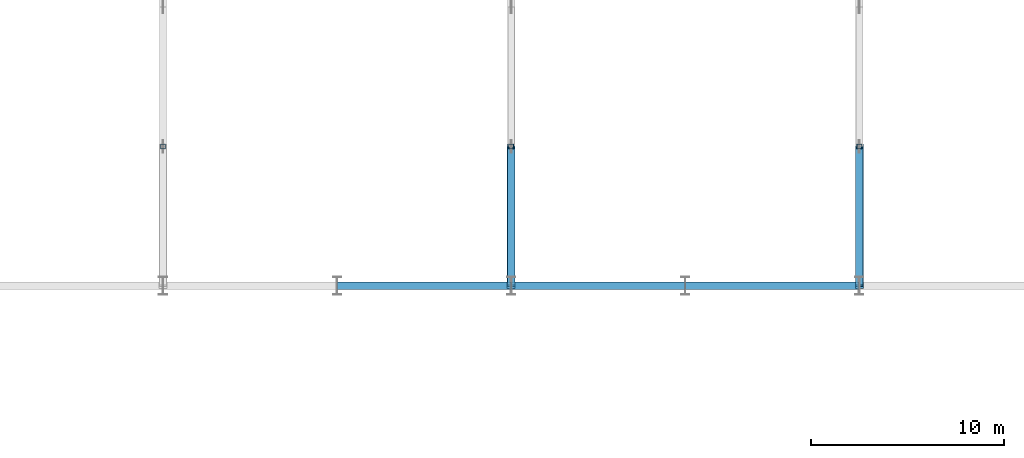
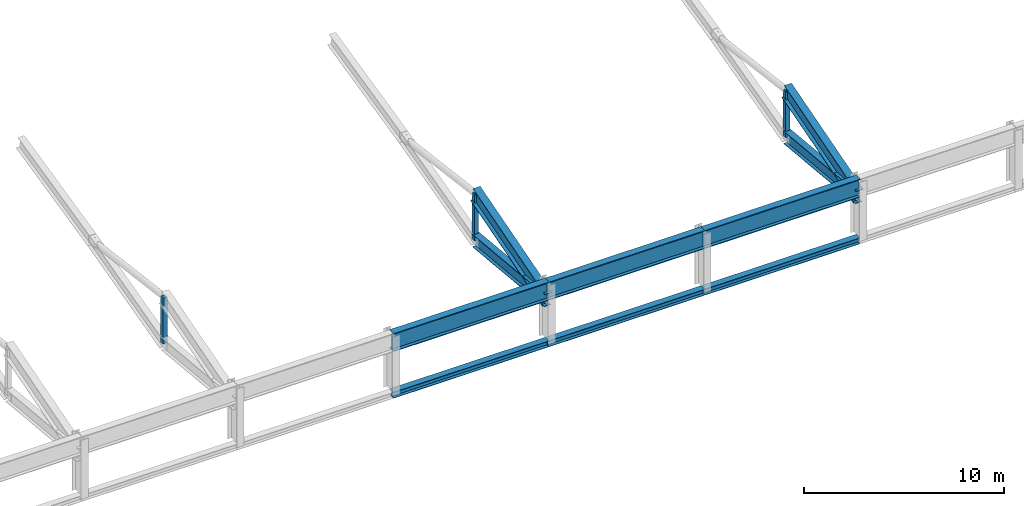
# One storey, part 17 of 151: 7 members, 6 beams.
"""IFC4 building model written with IfcOpenShell, lengths in metres."""

import ifcopenshell
import ifcopenshell.guid

model = None  # the IFC model being written
_history = None  # IfcOwnerHistory: only IFC2X3 demands one
_inside = {}  # id of a spatial element -> (the spatial element, [elements in it])
_under = {}  # id of a project, library or spatial element -> (it, [spatial elements below it])
_declared = {}  # id of a project -> (the project, [libraries it declares])
_typed = {}  # id of a type object -> (the type object, [elements of that type])
_made_of = {}  # id of a material, layer set ... -> (it, [elements and type objects made of it])


def new_model(schema):
    """Start an empty IFC model of exactly this schema.

    Asked for "IFC4X3", IfcOpenShell would pick the latest addendum, in which some entities
    have other attributes; the version numbers below select the first issue.
    IFC2X3 requires an IfcOwnerHistory on every rooted entity: one is made here for all.
    """
    global model, _history
    if schema == "IFC4X3":
        model = ifcopenshell.file(schema_version=(4, 3, 0, 0))
    else:
        model = ifcopenshell.file(schema=schema)
    _inside.clear()
    _under.clear()
    _declared.clear()
    _typed.clear()
    _made_of.clear()
    _history = None
    if model.schema == "IFC2X3":
        org = make("IfcOrganization", Name="unknown")
        user = make(
            "IfcPersonAndOrganization",
            ThePerson=make("IfcPerson", FamilyName="unknown"),
            TheOrganization=org,
        )
        app = make(
            "IfcApplication",
            ApplicationDeveloper=org,
            Version="unknown",
            ApplicationFullName="unknown",
            ApplicationIdentifier="unknown",
        )
        _history = make(
            "IfcOwnerHistory",
            OwningUser=user,
            OwningApplication=app,
            ChangeAction="ADDED",
            CreationDate=0,
        )
    return model


def make(cls, **values):
    """One entity of the class cls with the attributes given. An attribute that is None is left unset."""
    return model.create_entity(
        cls, **{name: value for name, value in values.items() if value is not None}
    )


def rooted(cls, **values):
    """An entity with a GlobalId (a new one), such as an element, a storey or a relation."""
    return make(cls, GlobalId=ifcopenshell.guid.new(), OwnerHistory=_history, **values)


def si_unit(unit_type, name, prefix=None):
    """IfcSIUnit, for example si_unit("LENGTHUNIT", "METRE", prefix="MILLI")."""
    return make("IfcSIUnit", UnitType=unit_type, Prefix=prefix, Name=name)


def assignment(units):
    """IfcUnitAssignment: the units of a project."""
    return None if units is None else make("IfcUnitAssignment", Units=units)


def point(xyz):
    """IfcCartesianPoint."""
    return None if xyz is None else make("IfcCartesianPoint", Coordinates=xyz)


def direction(xyz):
    """IfcDirection."""
    return None if xyz is None else make("IfcDirection", DirectionRatios=xyz)


def frame(location, z_axis=None, x_axis=None):
    """IfcAxis2Placement3D, a coordinate frame: its origin and axes. An axis left out is left unset."""
    return make(
        "IfcAxis2Placement3D",
        Location=point(location),
        Axis=direction(z_axis),
        RefDirection=direction(x_axis),
    )


def frame_2d(location, x_axis=None):
    """IfcAxis2Placement2D, a coordinate frame in the plane: its origin and x axis."""
    return make(
        "IfcAxis2Placement2D", Location=point(location), RefDirection=direction(x_axis)
    )


def origin():
    """The frame at (0, 0, 0) with its axes left unset."""
    return frame((0.0, 0.0, 0.0))


def origin_2d():
    """The frame at (0, 0) in the plane with its x axis left unset."""
    return frame_2d((0.0, 0.0))


def place(relative_to, where):
    """IfcLocalPlacement: puts the frame where relative to a parent placement (None: the world)."""
    return make(
        "IfcLocalPlacement", PlacementRelTo=relative_to, RelativePlacement=where
    )


def context(
    kind, dimensions, precision=None, world=None, true_north=None, identifier=None
):
    """IfcGeometricRepresentationContext, for example the 3D "Model" context."""
    return make(
        "IfcGeometricRepresentationContext",
        ContextIdentifier=identifier,
        ContextType=kind,
        CoordinateSpaceDimension=dimensions,
        Precision=precision,
        WorldCoordinateSystem=world,
        TrueNorth=true_north,
    )


def subcontext(parent, identifier, kind, view, scale=None):
    """IfcGeometricRepresentationSubContext, for example "Body" below "Model"."""
    return make(
        "IfcGeometricRepresentationSubContext",
        ContextIdentifier=identifier,
        ContextType=kind,
        ParentContext=parent,
        TargetScale=scale,
        TargetView=view,
    )


def project(units=None, contexts=None):
    """IfcProject with its units and contexts."""
    return rooted(
        "IfcProject",
        Name="project",
        RepresentationContexts=contexts,
        UnitsInContext=assignment(units),
    )


def spatial(cls, under=None, at=None, **own):
    """A site, building, storey or space (cls), placed at a placement, below another one or the project."""
    s = rooted(cls, ObjectPlacement=at, **own)
    if under is not None:
        _under.setdefault(under.id(), (under, []))[1].append(s)
    return s


def profile(cls, at=None, kind="AREA", **sizes):
    """A parametric profile (cls). Its sizes go by their IFC names, for example OverallWidth=200.0."""
    return make(cls, ProfileType=kind, Position=at, **sizes)


def hollow_rectangle(**sizes):
    """IfcRectangleHollowProfileDef."""
    return profile("IfcRectangleHollowProfileDef", **sizes)


def i_section(**sizes):
    """IfcIShapeProfileDef."""
    return profile("IfcIShapeProfileDef", **sizes)


def extrude(swept, where, along, depth):
    """IfcExtrudedAreaSolid: the profile swept, set in the frame where, extruded along a direction by depth."""
    return make(
        "IfcExtrudedAreaSolid",
        SweptArea=swept,
        Position=where,
        ExtrudedDirection=direction(along),
        Depth=depth,
    )


def shape(context_of_items, identifier, shape_type, items):
    """IfcShapeRepresentation: the items that make up one representation, for example the "Body"."""
    return make(
        "IfcShapeRepresentation",
        ContextOfItems=context_of_items,
        RepresentationIdentifier=identifier,
        RepresentationType=shape_type,
        Items=items,
    )


def material(Name=None, Category=None):
    """IfcMaterial."""
    return make("IfcMaterial", Name=Name, Category=Category)


def material_profile(
    of_material, cross_section, Name=None, Category=None, Priority=None
):
    """IfcMaterialProfile: a cross section and its material."""
    return make(
        "IfcMaterialProfile",
        Name=Name,
        Material=of_material,
        Profile=cross_section,
        Priority=Priority,
        Category=Category,
    )


def profile_set(profiles, Name=None, composite=None):
    """IfcMaterialProfileSet."""
    return make(
        "IfcMaterialProfileSet",
        Name=Name,
        MaterialProfiles=profiles,
        CompositeProfile=composite,
    )


def made_of(thing, what):
    """Note that an element or type object is made of a material, layer set ...; save() writes the relation."""
    if what is not None:
        _made_of.setdefault(what.id(), (what, []))[1].append(thing)
    return thing


def type_object(cls, material=None, **own):
    """A type object (cls), such as IfcWallType, which elements share."""
    return made_of(rooted(cls, **own), material)


def element(
    cls,
    number,
    at=None,
    inside=None,
    cuts=None,
    type_object=None,
    material=None,
    context=None,
    identifier="Body",
    shape_type=None,
    held_by="IfcProductDefinitionShape",
    body=None,
    shapes=None,
    **own,
):
    """One element of the class cls, such as IfcWall. Its Tag is "e" and its number.

    at: its placement. inside: the storey or other place that contains it. cuts: it is an
    opening in that element (IfcRelVoidsElement). A single representation is given by context,
    identifier, shape_type and body (its items); several are given by shapes. held_by: the class
    of the entity that holds the representations. save() writes the other relations.
    """
    e = rooted(cls, Tag="e%d" % number, ObjectPlacement=at, **own)
    if body is not None:
        shapes = [shape(context, identifier, shape_type, body)]
    if shapes is not None:
        e.Representation = make(held_by, Representations=shapes)
    if inside is not None:
        _inside.setdefault(inside.id(), (inside, []))[1].append(e)
    if cuts is not None:
        rooted(
            "IfcRelVoidsElement", RelatingBuildingElement=cuts, RelatedOpeningElement=e
        )
    if type_object is not None:
        _typed.setdefault(type_object.id(), (type_object, []))[1].append(e)
    return made_of(e, material)


def aggregate(whole, parts):
    """IfcRelAggregates: a whole, such as a stair, and the parts it consists of."""
    return rooted("IfcRelAggregates", RelatingObject=whole, RelatedObjects=parts)


def save(model, path):
    """Write the relations noted so far, then the file.

    IfcRelAggregates (storeys below a building ...), IfcRelContainedInSpatialStructure (elements
    in a storey), IfcRelDefinesByType, IfcRelAssociatesMaterial and IfcRelDeclares: one each for
    every whole, place, type object, material and project.
    """
    for whole, parts in _under.values():
        aggregate(whole, parts)
    for where, things in _inside.values():
        rooted(
            "IfcRelContainedInSpatialStructure",
            RelatedElements=things,
            RelatingStructure=where,
        )
    for kind, things in _typed.values():
        rooted("IfcRelDefinesByType", RelatedObjects=things, RelatingType=kind)
    for what, things in _made_of.values():
        rooted("IfcRelAssociatesMaterial", RelatedObjects=things, RelatingMaterial=what)
    for by, libraries in _declared.values():
        rooted("IfcRelDeclares", RelatingContext=by, RelatedDefinitions=libraries)
    model.write(path)


model = new_model("IFC4")

# Units and contexts
model_context = context("Model", 3, precision=1e-05, world=origin(), true_north=direction((0.0, 1.0)))
body_context = subcontext(model_context, "Body", "Model", "MODEL_VIEW")
ifc_project = project(units=[si_unit("LENGTHUNIT", "METRE"), si_unit("AREAUNIT", "SQUARE_METRE"), si_unit("VOLUMEUNIT", "CUBIC_METRE"), si_unit("PLANEANGLEUNIT", "RADIAN"), si_unit("MASSUNIT", "GRAM", prefix="KILO")], contexts=[model_context])

# Site, building, storey
site_placement = place(None, origin())
site = spatial("IfcSite", under=ifc_project, at=site_placement, CompositionType="ELEMENT")
building_placement = place(site_placement, origin())
building = spatial("IfcBuilding", under=site, at=building_placement, Name="Celestram Park Convention Centre", CompositionType="ELEMENT")
storey_placement = place(building_placement, frame((0.0, 0.0, 10.800048828125)))
storey = spatial("IfcBuildingStorey", under=building, at=storey_placement, Name="L02", CompositionType="ELEMENT", Elevation=10.800048828125)

# Beams
ifc_material_1 = material(Name="Steel ASTM A992 Grade 50", Category="steel")
ifc_material_profile_1 = material_profile(ifc_material_1, i_section(OverallWidth=0.404052734375, OverallDepth=1.117919921875, WebThickness=0.026123046875, FlangeThickness=0.044921875, at=origin_2d()), Name="W44X335")
ifc_profile_set_1 = profile_set([ifc_material_profile_1], Name="Steel ASTM A992 Grade 50")
beam_type_1 = type_object("IfcBeamType", Name="STR-BM-W44X335", PredefinedType="BEAM", material=ifc_profile_set_1)
for number, where, z_axis, x_axis, name in (
    (1, (81.007568359375, 21.60009765625, 3.041015625), (1.0, 0.0, 0.0), (0.0, 1.0, 0.0), "Exhibition eaves tie girder BG-L02-0381"),
    (2, (90.007568359375, 21.60009765625, 3.041015625), (1.0, 0.0, 0.0), (0.0, 1.0, 0.0), "Exhibition eaves tie girder BG-L02-0382"),
    (3, (99.007568359375, 21.60009765625, 3.041015625), (1.0, 0.0, 0.0), (0.0, 1.0, 0.0), "Exhibition eaves tie girder BG-L02-0383"),
):
    element("IfcBeam", number, at=place(storey_placement, frame(where, z_axis=z_axis, x_axis=x_axis)), inside=storey, type_object=beam_type_1, Name=name, PredefinedType="BEAM", context=body_context, shape_type="SweptSolid", body=[
        extrude(i_section(OverallWidth=0.404052734375, OverallDepth=1.117919921875, WebThickness=0.026123046875, FlangeThickness=0.044921875, at=origin_2d()), origin(), (0.0, 0.0, 1.0), 8.98486328125),
    ])

# Members
ifc_material_profile_2 = material_profile(ifc_material_1, i_section(OverallWidth=0.381103515625, OverallDepth=0.77197265625, WebThickness=0.0166015625, FlangeThickness=0.027099609375, at=origin_2d()), Name="W30X173")
ifc_profile_set_2 = profile_set([ifc_material_profile_2], Name="Steel ASTM A992 Grade 50")
member_type_1 = type_object("IfcMemberType", Name="STR-CHD-W30X173", PredefinedType="CHORD", material=ifc_profile_set_2)
for number, where, z_axis, x_axis, name in (
    (4, (90.0, 21.60009765625, 2.428466796875), (0.0, 0.995417621099, -0.095623007717), (-1.0, 0.0, 0.0), "V1 arch bottom chord"),
    (5, (108.0, 21.60009765625, 2.428466796875), (0.0, 0.995417621099, -0.095623007717), (-1.0, 0.0, 0.0), "V1 arch bottom chord"),
):
    element("IfcMember", number, at=place(storey_placement, frame(where, z_axis=z_axis, x_axis=x_axis)), inside=storey, type_object=member_type_1, Name=name, PredefinedType="CHORD", context=body_context, shape_type="SweptSolid", body=[
        extrude(i_section(OverallWidth=0.381103515625, OverallDepth=0.77197265625, WebThickness=0.0166015625, FlangeThickness=0.027099609375, at=origin_2d()), origin(), (0.0, 0.0, 1.0), 7.233154296875),
    ])
ifc_material_profile_3 = material_profile(ifc_material_1, i_section(OverallWidth=0.4189453125, OverallDepth=0.927001953125, WebThickness=0.019287109375, FlangeThickness=0.031982421875, at=origin_2d()), Name="W36X231")
ifc_profile_set_3 = profile_set([ifc_material_profile_3], Name="Steel ASTM A992 Grade 50")
member_type_2 = type_object("IfcMemberType", Name="STR-CHD-W36X231", PredefinedType="CHORD", material=ifc_profile_set_3)
for number, where, z_axis, x_axis, name in (
    (6, (90.0, 21.60009765625, 2.428466796875), (0.0, 0.959698026141, 0.281033269599), (-1.0, 0.0, 0.0), "V1 arch top chord"),
    (7, (108.0, 21.60009765625, 2.428466796875), (0.0, 0.959698026141, 0.281033269599), (-1.0, 0.0, 0.0), "V1 arch top chord"),
):
    element("IfcMember", number, at=place(storey_placement, frame(where, z_axis=z_axis, x_axis=x_axis)), inside=storey, type_object=member_type_2, Name=name, PredefinedType="CHORD", context=body_context, shape_type="SweptSolid", body=[
        extrude(i_section(OverallWidth=0.4189453125, OverallDepth=0.927001953125, WebThickness=0.019287109375, FlangeThickness=0.031982421875, at=origin_2d()), origin(), (0.0, 0.0, 1.0), 7.502197265625),
    ])

# Beams
ifc_material_profile_4 = material_profile(ifc_material_1, i_section(OverallWidth=0.373046875, OverallDepth=0.373046875, WebThickness=0.016357421875, FlangeThickness=0.026123046875, at=origin_2d()), Name="W14X132")
ifc_profile_set_4 = profile_set([ifc_material_profile_4], Name="Steel ASTM A992 Grade 50")
beam_type_2 = type_object("IfcBeamType", Name="STR-SPN-W14X132", PredefinedType="SPANDREL", material=ifc_profile_set_4)
for number, where, z_axis, x_axis, name in (
    (8, (81.010009765625, 21.60009765625, -0.1865234375), (1.0, 0.0, 0.0), (0.0, 1.0, 0.0), "High-bay perimeter spandrel SPB-L02-039"),
    (9, (90.010009765625, 21.60009765625, -0.1865234375), (1.0, 0.0, 0.0), (0.0, 1.0, 0.0), "High-bay perimeter spandrel SPB-L02-040"),
    (10, (99.010009765625, 21.60009765625, -0.1865234375), (1.0, 0.0, 0.0), (0.0, 1.0, 0.0), "High-bay perimeter spandrel SPB-L02-041"),
):
    element("IfcBeam", number, at=place(storey_placement, frame(where, z_axis=z_axis, x_axis=x_axis)), inside=storey, type_object=beam_type_2, Name=name, PredefinedType="SPANDREL", context=body_context, shape_type="SweptSolid", body=[
        extrude(i_section(OverallWidth=0.373046875, OverallDepth=0.373046875, WebThickness=0.016357421875, FlangeThickness=0.026123046875, at=origin_2d()), origin(), (0.0, 0.0, 1.0), 8.97998046875),
    ])

# Members
ifc_material_2 = material(Name="Steel ASTM A500 Grade C", Category="steel")
ifc_material_profile_5 = material_profile(ifc_material_2, hollow_rectangle(XDim=0.25, YDim=0.25, WallThickness=0.011962890625, at=origin_2d()), Name="HSS250X250X12")
ifc_profile_set_5 = profile_set([ifc_material_profile_5], Name="Steel ASTM A500 Grade C")
member_type_3 = type_object("IfcMemberType", Name="STR-STR-HSS250", PredefinedType="STRUT", material=ifc_profile_set_5)
for number, where, z_axis, x_axis, name in (
    (11, (72.0, 28.800048828125, 1.73681640625), (0.0, 0.0, 1.0), (1.0, 0.0, 0.0), "V1 arch vertical strut"),
    (12, (90.0, 28.800048828125, 1.73681640625), (0.0, 0.0, 1.0), (1.0, 0.0, 0.0), "V1 arch vertical strut"),
    (13, (108.0, 28.800048828125, 1.73681640625), (0.0, 0.0, 1.0), (1.0, 0.0, 0.0), "V1 arch vertical strut"),
):
    element("IfcMember", number, at=place(storey_placement, frame(where, z_axis=z_axis, x_axis=x_axis)), inside=storey, type_object=member_type_3, Name=name, PredefinedType="STRUT", context=body_context, shape_type="SweptSolid", body=[
        extrude(hollow_rectangle(XDim=0.25, YDim=0.25, WallThickness=0.011962890625, at=origin_2d()), origin(), (0.0, 0.0, 1.0), 2.800048828125),
    ])

save(model, "model.ifc")
